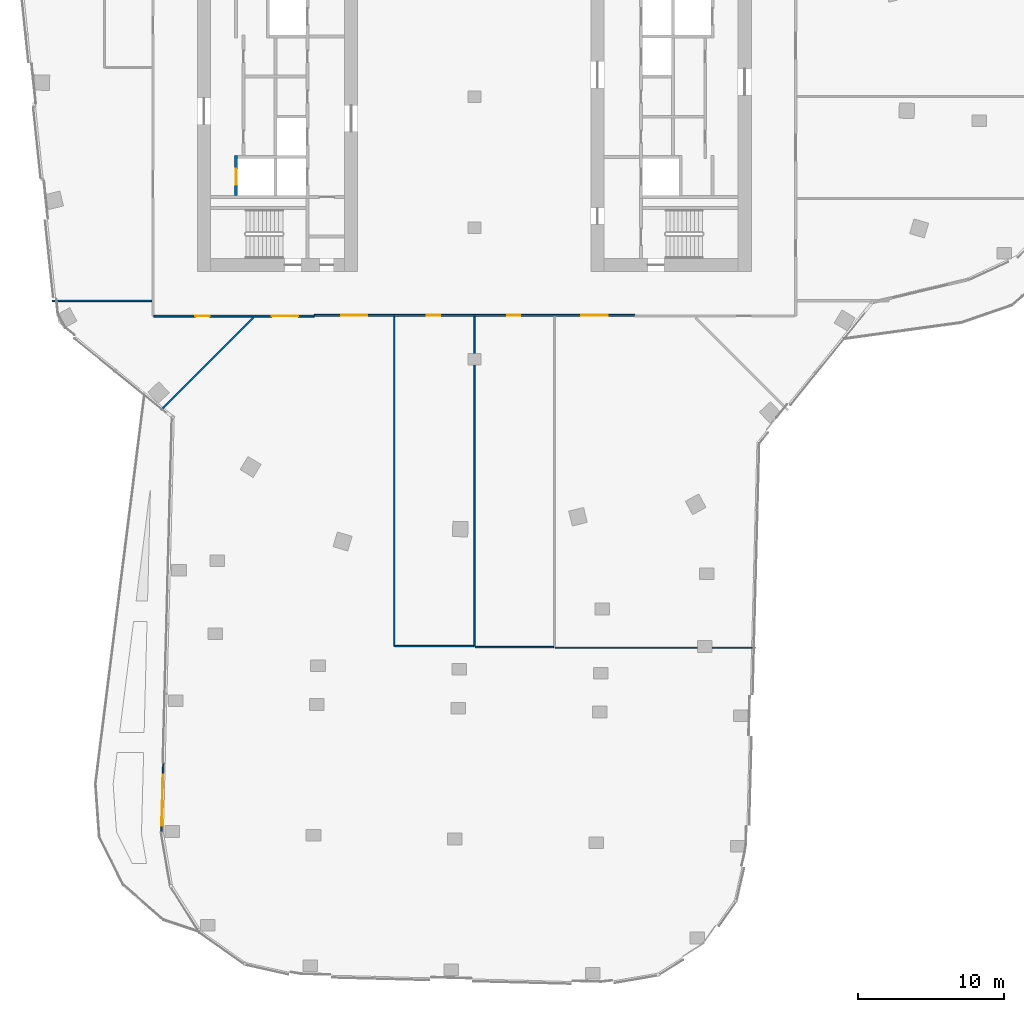
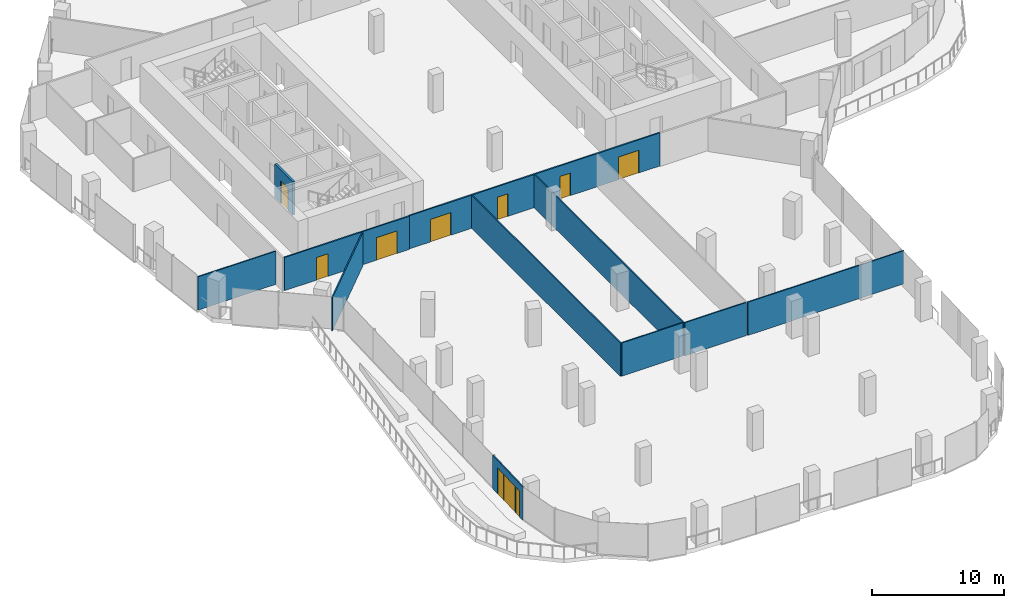
# One storey, part 16 of 24: 11 walls, 8 doors, 2 windows, 10 openings.
"""IFC4 building model written with IfcOpenShell, lengths in metres."""

from ifc_helpers import new_model, si_unit, direction, frame, frame_2d, origin, place, context, subcontext, project, spatial, rectangle, extrude, material, layer, layer_set, type_object, element, fill, save


model = new_model("IFC4")

# Units and contexts
model_context = context("Model", 3, precision=1e-05, world=origin(), true_north=direction((0.0, 1.0)))
body_context = subcontext(model_context, "Body", "Model", "MODEL_VIEW")
ifc_project = project(units=[si_unit("LENGTHUNIT", "METRE"), si_unit("AREAUNIT", "SQUARE_METRE"), si_unit("VOLUMEUNIT", "CUBIC_METRE"), si_unit("PLANEANGLEUNIT", "RADIAN"), si_unit("MASSUNIT", "GRAM", prefix="KILO")], contexts=[model_context])

# Site, building, storey
site_placement = place(None, origin())
site = spatial("IfcSite", under=ifc_project, at=site_placement, CompositionType="ELEMENT")
building_placement = place(site_placement, origin())
building = spatial("IfcBuilding", under=site, at=building_placement, Name="Orlundy Tower", CompositionType="ELEMENT")
storey_placement = place(building_placement, frame((0.0, 0.0, 210.5)))
storey = spatial("IfcBuildingStorey", under=building, at=storey_placement, Name="L55", CompositionType="ELEMENT", Elevation=210.5)

# Walls
ifc_material_1 = material(Name="Gypsum board partition")
ifc_layer_1 = layer(ifc_material_1, 0.10009765625)
ifc_layer_set_1 = layer_set([ifc_layer_1], Name="Floor partition 100")
wall_type_1 = type_object("IfcWallType", Name="Floor partition 100", PredefinedType="PARTITIONING", material=ifc_layer_set_1)
wall_1_placement = place(storey_placement, frame((5.5458984375, -37.802001953125, 0.0), z_axis=(0.0, 0.0, 1.0), x_axis=(1.0, 0.0, 0.0)))
element("IfcWall", 1, at=wall_1_placement, inside=storey, type_object=wall_type_1, Name="wall-int-L55-003", PredefinedType="PARTITIONING", context=body_context, shape_type="SweptSolid", body=[
    extrude(rectangle(XDim=13.72119140625, YDim=0.10009765625, at=frame_2d((6.860595703125, 0.0))), origin(), (0.0, 0.0, 1.0), 3.080078125),
])
wall_2_placement = place(storey_placement, frame((0.050048828125, -37.757080078125, 0.0), z_axis=(0.0, 0.0, 1.0), x_axis=(1.0, 0.0, 0.0)))
element("IfcWall", 2, at=wall_2_placement, inside=storey, type_object=wall_type_1, Name="wall-int-L55-004", PredefinedType="PARTITIONING", context=body_context, shape_type="SweptSolid", body=[
    extrude(rectangle(XDim=5.39599609375, YDim=0.10009765625, at=frame_2d((2.697998046875, 0.0))), origin(), (0.0, 0.0, 1.0), 3.080078125),
])
wall_3_placement = place(storey_placement, frame((-5.444091796875, -37.68505859375, 0.0), z_axis=(0.0, 0.0, 1.0), x_axis=(1.0, 0.0, 0.0)))
element("IfcWall", 3, at=wall_3_placement, inside=storey, type_object=wall_type_1, Name="wall-int-L55-005", PredefinedType="PARTITIONING", context=body_context, shape_type="SweptSolid", body=[
    extrude(rectangle(XDim=5.39404296875, YDim=0.10009765625, at=frame_2d((2.697021484375, 0.0))), origin(), (0.0, 0.0, 1.0), 3.080078125),
])
wall_4_placement = place(storey_placement, frame((-28.946044921875, -14.0, 0.0), z_axis=(0.0, 0.0, 1.0), x_axis=(1.0, 0.0, 0.0)))
element("IfcWall", 4, at=wall_4_placement, inside=storey, type_object=wall_type_1, Name="wall-int-L55-009", PredefinedType="PARTITIONING", context=body_context, shape_type="SweptSolid", body=[
    extrude(rectangle(XDim=6.821044921875, YDim=0.10009765625, at=frame_2d((3.41064453125, 0.0))), origin(), (0.0, 0.0, 1.0), 3.080078125),
])
wall_5_placement = place(storey_placement, frame((-21.508056640625, -21.508056640625, 0.0), z_axis=(0.0, 0.0, 1.0), x_axis=(0.707106781187, 0.707106781187, 0.0)))
element("IfcWall", 5, at=wall_5_placement, inside=storey, type_object=wall_type_1, Name="wall-int-L55-021", PredefinedType="PARTITIONING", context=body_context, shape_type="SweptSolid", body=[
    extrude(rectangle(XDim=8.9931640625, YDim=0.10009765625, at=frame_2d((4.49658203125, 0.0))), origin(), (0.0, 0.0, 1.0), 3.080078125),
])
for number, where, z_axis, x_axis, name in (
    (6, (0.0, -37.68505859375, 0.0), (0.0, 0.0, 1.0), (0.0, 1.0, 0.0), "wall-int-L55-026"),
    (7, (-5.493896484375, -37.68505859375, 0.0), (0.0, 0.0, 1.0), (0.0, 1.0, 0.0), "wall-int-L55-028"),
):
    element("IfcWall", number, at=place(storey_placement, frame(where, z_axis=z_axis, x_axis=x_axis)), inside=storey, type_object=wall_type_1, Name=name, PredefinedType="PARTITIONING", context=body_context, shape_type="SweptSolid", body=[
        extrude(rectangle(XDim=22.6220703125, YDim=0.10009765625, at=frame_2d((11.31103515625, 0.0))), origin(), (0.0, 0.0, 1.0), 3.080078125),
    ])

# Wall, openings, doors
ifc_material_2 = material(Name="Gypsum board partition, double layer")
ifc_layer_2 = layer(ifc_material_2, 0.125)
ifc_layer_set_2 = layer_set([ifc_layer_2], Name="Floor partition 125")
wall_type_2 = type_object("IfcWallType", Name="Floor partition 125", PredefinedType="PARTITIONING", material=ifc_layer_set_2)
wall_6_placement = place(storey_placement, frame((-10.990966796875, -15.051025390625, 0.0), z_axis=(0.0, 0.0, 1.0), x_axis=(-1.0, 0.0, 0.0)))
wall_6 = element("IfcWall", 8, at=wall_6_placement, inside=storey, type_object=wall_type_2, Name="wall-int-L55-006", PredefinedType="PARTITIONING", context=body_context, shape_type="SweptSolid", body=[
    extrude(rectangle(XDim=10.984130859375, YDim=0.125, at=frame_2d((5.4921875, 0.0))), origin(), (0.0, 0.0, 1.0), 3.080078125),
])
opening_1_placement = place(wall_6_placement, frame((7.159912109375, 0.0, 0.0)))
opening_1 = element("IfcOpeningElement", 9, at=opening_1_placement, cuts=wall_6, Name="Opening 42102", PredefinedType="OPENING", context=body_context, shape_type="SweptSolid", body=[
    extrude(rectangle(XDim=1.0, YDim=2.10009765625, at=frame_2d((0.5, 1.050048828125))), frame((0.0, 0.072509765625, 0.0), z_axis=(0.0, -1.0, 0.0), x_axis=(1.0, 0.0, 0.0)), (0.0, 0.0, 1.0), 0.14501953125),
])
opening_2_placement = place(wall_6_placement, frame((1.10009765625, 0.0, 0.0)))
opening_2 = element("IfcOpeningElement", 10, at=opening_2_placement, cuts=wall_6, Name="Opening 42103", PredefinedType="OPENING", context=body_context, shape_type="SweptSolid", body=[
    extrude(rectangle(XDim=1.800048828125, YDim=2.10009765625, at=frame_2d((0.89990234375, 1.050048828125))), frame((0.0, 0.072509765625, 0.0), z_axis=(0.0, -1.0, 0.0), x_axis=(1.0, 0.0, 0.0)), (0.0, 0.0, 1.0), 0.14501953125),
])
ifc_material_3 = material(Name="Timber door leaf", Category="wood")
door_type_1 = type_object("IfcDoorType", Name="Floor door double 1800 FD30S", OperationType="NOTDEFINED", PredefinedType="DOOR", material=ifc_material_3)
door_1_placement = place(opening_2_placement, origin())
door_1 = element("IfcDoor", 11, at=door_1_placement, inside=storey, type_object=door_type_1, Name="Door 42103", OperationType="DOUBLE_DOOR_SINGLE_SWING", OverallHeight=2.10009765625, OverallWidth=1.800048828125, PredefinedType="DOOR", context=body_context, shape_type="SweptSolid", body=[
    extrude(rectangle(XDim=1.800048828125, YDim=2.10009765625, at=frame_2d((0.89990234375, 1.050048828125))), frame((0.0, 0.02490234375, 0.0), z_axis=(0.0, -1.0, 0.0), x_axis=(1.0, 0.0, 0.0)), (0.0, 0.0, 1.0), 0.050048828125),
])
fill(opening_2, door_1)
ifc_material_4 = material(Name="Timber door leaf", Category="wood")
door_type_2 = type_object("IfcDoorType", Name="Floor door wide 1000 FD30S", OperationType="NOTDEFINED", PredefinedType="DOOR", material=ifc_material_4)
door_2_placement = place(opening_1_placement, origin())
door_2 = element("IfcDoor", 12, at=door_2_placement, inside=storey, type_object=door_type_2, Name="Door 42102", OperationType="SINGLE_SWING_RIGHT", OverallHeight=2.10009765625, OverallWidth=1.0, PredefinedType="DOOR", context=body_context, shape_type="SweptSolid", body=[
    extrude(rectangle(XDim=1.0, YDim=2.10009765625, at=frame_2d((0.5, 1.050048828125))), frame((0.0, 0.02490234375, 0.0), z_axis=(0.0, -1.0, 0.0), x_axis=(1.0, 0.0, 0.0)), (0.0, 0.0, 1.0), 0.050048828125),
])
fill(opening_1, door_2)

wall_7_placement = place(storey_placement, frame((10.989990234375, -15.0009765625, 0.0), z_axis=(0.0, 0.0, 1.0), x_axis=(-1.0, 0.0, 0.0)))
wall_7 = element("IfcWall", 13, at=wall_7_placement, inside=storey, type_object=wall_type_2, Name="wall-int-L55-008", PredefinedType="PARTITIONING", context=body_context, shape_type="SweptSolid", body=[
    extrude(rectangle(XDim=21.97998046875, YDim=0.125, at=frame_2d((10.989990234375, 0.0))), origin(), (0.0, 0.0, 1.0), 3.080078125),
])
opening_3_placement = place(wall_7_placement, frame((18.333984375, 0.0, 0.0)))
opening_3 = element("IfcOpeningElement", 14, at=opening_3_placement, cuts=wall_7, Name="Opening 42104", PredefinedType="OPENING", context=body_context, shape_type="SweptSolid", body=[
    extrude(rectangle(XDim=1.800048828125, YDim=2.10009765625, at=frame_2d((0.89990234375, 1.050048828125))), frame((0.0, 0.072509765625, 0.0), z_axis=(0.0, -1.0, 0.0), x_axis=(1.0, 0.0, 0.0)), (0.0, 0.0, 1.0), 0.14501953125),
])
opening_4_placement = place(wall_7_placement, frame((13.340087890625, 0.0, 0.0)))
opening_4 = element("IfcOpeningElement", 15, at=opening_4_placement, cuts=wall_7, Name="Opening 42105", PredefinedType="OPENING", context=body_context, shape_type="SweptSolid", body=[
    extrude(rectangle(XDim=0.89990234375, YDim=2.10009765625, at=frame_2d((0.449951171875, 1.050048828125))), frame((0.0, 0.072509765625, 0.0), z_axis=(0.0, -1.0, 0.0), x_axis=(1.0, 0.0, 0.0)), (0.0, 0.0, 1.0), 0.14501953125),
])
opening_5_placement = place(wall_7_placement, frame((7.843994140625, 0.0, 0.0)))
opening_5 = element("IfcOpeningElement", 16, at=opening_5_placement, cuts=wall_7, Name="Opening 42106", PredefinedType="OPENING", context=body_context, shape_type="SweptSolid", body=[
    extrude(rectangle(XDim=0.89990234375, YDim=2.10009765625, at=frame_2d((0.449951171875, 1.050048828125))), frame((0.0, 0.072509765625, 0.0), z_axis=(0.0, -1.0, 0.0), x_axis=(1.0, 0.0, 0.0)), (0.0, 0.0, 1.0), 0.14501953125),
])
opening_6_placement = place(wall_7_placement, frame((1.85009765625, 0.0, 0.0)))
opening_6 = element("IfcOpeningElement", 17, at=opening_6_placement, cuts=wall_7, Name="Opening 42107", PredefinedType="OPENING", context=body_context, shape_type="SweptSolid", body=[
    extrude(rectangle(XDim=1.800048828125, YDim=2.10009765625, at=frame_2d((0.89990234375, 1.050048828125))), frame((0.0, 0.072509765625, 0.0), z_axis=(0.0, -1.0, 0.0), x_axis=(1.0, 0.0, 0.0)), (0.0, 0.0, 1.0), 0.14501953125),
])
door_3_placement = place(opening_3_placement, origin())
door_3 = element("IfcDoor", 18, at=door_3_placement, inside=storey, type_object=door_type_1, Name="Door 42104", OperationType="DOUBLE_DOOR_SINGLE_SWING", OverallHeight=2.10009765625, OverallWidth=1.800048828125, PredefinedType="DOOR", context=body_context, shape_type="SweptSolid", body=[
    extrude(rectangle(XDim=1.800048828125, YDim=2.10009765625, at=frame_2d((0.89990234375, 1.050048828125))), frame((0.0, 0.02490234375, 0.0), z_axis=(0.0, -1.0, 0.0), x_axis=(1.0, 0.0, 0.0)), (0.0, 0.0, 1.0), 0.050048828125),
])
fill(opening_3, door_3)
door_4_placement = place(opening_6_placement, origin())
door_4 = element("IfcDoor", 19, at=door_4_placement, inside=storey, type_object=door_type_1, Name="Door 42107", OperationType="DOUBLE_DOOR_SINGLE_SWING", OverallHeight=2.10009765625, OverallWidth=1.800048828125, PredefinedType="DOOR", context=body_context, shape_type="SweptSolid", body=[
    extrude(rectangle(XDim=1.800048828125, YDim=2.10009765625, at=frame_2d((0.89990234375, 1.050048828125))), frame((0.0, 0.02490234375, 0.0), z_axis=(0.0, -1.0, 0.0), x_axis=(1.0, 0.0, 0.0)), (0.0, 0.0, 1.0), 0.050048828125),
])
fill(opening_6, door_4)
ifc_material_5 = material(Name="Timber door leaf", Category="wood")
door_type_3 = type_object("IfcDoorType", Name="Floor door single 900 FD30S", OperationType="NOTDEFINED", PredefinedType="DOOR", material=ifc_material_5)
door_5_placement = place(opening_4_placement, origin())
door_5 = element("IfcDoor", 20, at=door_5_placement, inside=storey, type_object=door_type_3, Name="Door 42105", OperationType="SINGLE_SWING_RIGHT", OverallHeight=2.10009765625, OverallWidth=0.89990234375, PredefinedType="DOOR", context=body_context, shape_type="SweptSolid", body=[
    extrude(rectangle(XDim=0.89990234375, YDim=2.10009765625, at=frame_2d((0.449951171875, 1.050048828125))), frame((0.0, 0.02490234375, 0.0), z_axis=(0.0, -1.0, 0.0), x_axis=(1.0, 0.0, 0.0)), (0.0, 0.0, 1.0), 0.050048828125),
])
fill(opening_4, door_5)
door_6_placement = place(opening_5_placement, origin())
door_6 = element("IfcDoor", 21, at=door_6_placement, inside=storey, type_object=door_type_3, Name="Door 42106", OperationType="SINGLE_SWING_LEFT", OverallHeight=2.10009765625, OverallWidth=0.89990234375, PredefinedType="DOOR", context=body_context, shape_type="SweptSolid", body=[
    extrude(rectangle(XDim=0.89990234375, YDim=2.10009765625, at=frame_2d((0.449951171875, 1.050048828125))), frame((0.0, 0.02490234375, 0.0), z_axis=(0.0, -1.0, 0.0), x_axis=(1.0, 0.0, 0.0)), (0.0, 0.0, 1.0), 0.050048828125),
])
fill(opening_5, door_6)

# Wall, openings, windows, door
ifc_material_6 = material(Name="Aluminium bronze and tinted glass", Category="aluminium")
ifc_layer_3 = layer(ifc_material_6, 0.10009765625)
ifc_layer_set_3 = layer_set([ifc_layer_3], Name="Glazed door screen")
wall_type_3 = type_object("IfcWallType", Name="Glazed door screen", PredefinedType="STANDARD", material=ifc_layer_set_3)
wall_8_placement = place(storey_placement, frame((-21.457763671875, -50.446533203125, 0.0), z_axis=(0.0, 0.0, 1.0), x_axis=(0.026165257671, 0.999657631037, 0.0)))
wall_8 = element("IfcWall", 22, at=wall_8_placement, inside=storey, type_object=wall_type_3, Name="Glazed door screen", PredefinedType="STANDARD", context=body_context, shape_type="SweptSolid", body=[
    extrude(rectangle(XDim=4.721435546875, YDim=0.10009765625, at=frame_2d((2.36083984375, 0.0))), origin(), (0.0, 0.0, 1.0), 3.10009765625),
])
opening_7_placement = place(wall_8_placement, frame((1.128662109375, 0.0, 0.0)))
opening_7 = element("IfcOpeningElement", 23, at=opening_7_placement, cuts=wall_8, Name="Opening 42940", PredefinedType="OPENING", context=body_context, shape_type="SweptSolid", body=[
    extrude(rectangle(XDim=1.800048828125, YDim=2.39990234375, at=frame_2d((0.89990234375, 1.199951171875))), frame((0.0, 0.06005859375, 0.0), z_axis=(0.0, -1.0, 0.0), x_axis=(1.0, 0.0, 0.0)), (0.0, 0.0, 1.0), 0.1201171875),
])
opening_8_placement = place(wall_8_placement, frame((0.4287109375, 0.0, 0.0)))
opening_8 = element("IfcOpeningElement", 24, at=opening_8_placement, cuts=wall_8, Name="Opening W01", PredefinedType="OPENING", context=body_context, shape_type="SweptSolid", body=[
    extrude(rectangle(XDim=0.60009765625, YDim=2.39990234375, at=frame_2d((0.300048828125, 1.199951171875))), frame((0.0, 0.06005859375, 0.0), z_axis=(0.0, -1.0, 0.0), x_axis=(1.0, 0.0, 0.0)), (0.0, 0.0, 1.0), 0.1201171875),
])
opening_9_placement = place(wall_8_placement, frame((3.02880859375, 0.0, 0.0)))
opening_9 = element("IfcOpeningElement", 25, at=opening_9_placement, cuts=wall_8, Name="Opening W02", PredefinedType="OPENING", context=body_context, shape_type="SweptSolid", body=[
    extrude(rectangle(XDim=0.89990234375, YDim=2.39990234375, at=frame_2d((0.449951171875, 1.199951171875))), frame((0.0, 0.06005859375, 0.0), z_axis=(0.0, -1.0, 0.0), x_axis=(1.0, 0.0, 0.0)), (0.0, 0.0, 1.0), 0.1201171875),
])
ifc_material_7 = material(Name="Tinted glass in bronze aluminium frame", Category="aluminium")
window_type_1 = type_object("IfcWindowType", Name="SL1 sidelight 600x2400", PartitioningType="SINGLE_PANEL", PredefinedType="WINDOW", material=ifc_material_7)
window_1_placement = place(opening_8_placement, origin())
window_1 = element("IfcWindow", 26, at=window_1_placement, inside=storey, type_object=window_type_1, Name="Window W01 L55", OverallHeight=2.39990234375, OverallWidth=0.60009765625, PartitioningType="SINGLE_PANEL", PredefinedType="WINDOW", context=body_context, shape_type="SweptSolid", body=[
    extrude(rectangle(XDim=0.60009765625, YDim=2.39990234375, at=frame_2d((0.300048828125, 1.199951171875))), frame((0.0, 0.030029296875, 0.0), z_axis=(0.0, -1.0, 0.0), x_axis=(1.0, 0.0, 0.0)), (0.0, 0.0, 1.0), 0.06005859375),
])
fill(opening_8, window_1)
ifc_material_8 = material(Name="Tinted glass in bronze aluminium frame", Category="aluminium")
window_type_2 = type_object("IfcWindowType", Name="SL2 sidelight 900x2400", PartitioningType="SINGLE_PANEL", PredefinedType="WINDOW", material=ifc_material_8)
window_2_placement = place(opening_9_placement, origin())
window_2 = element("IfcWindow", 27, at=window_2_placement, inside=storey, type_object=window_type_2, Name="Window W02 L55", OverallHeight=2.39990234375, OverallWidth=0.89990234375, PartitioningType="SINGLE_PANEL", PredefinedType="WINDOW", context=body_context, shape_type="SweptSolid", body=[
    extrude(rectangle(XDim=0.89990234375, YDim=2.39990234375, at=frame_2d((0.449951171875, 1.199951171875))), frame((0.0, 0.030029296875, 0.0), z_axis=(0.0, -1.0, 0.0), x_axis=(1.0, 0.0, 0.0)), (0.0, 0.0, 1.0), 0.06005859375),
])
fill(opening_9, window_2)
ifc_material_9 = material(Name="Aluminium bronze and tinted glass", Category="aluminium")
door_type_4 = type_object("IfcDoorType", Name="TD3 terrace sliding door 1800x2400", OperationType="DOUBLE_DOOR_SLIDING", PredefinedType="DOOR", material=ifc_material_9)
door_7_placement = place(opening_7_placement, origin())
door_7 = element("IfcDoor", 28, at=door_7_placement, inside=storey, type_object=door_type_4, Name="Door 42940", OperationType="DOUBLE_DOOR_SLIDING", OverallHeight=2.39990234375, OverallWidth=1.800048828125, PredefinedType="DOOR", context=body_context, shape_type="SweptSolid", body=[
    extrude(rectangle(XDim=1.800048828125, YDim=2.39990234375, at=frame_2d((0.89990234375, 1.199951171875))), frame((0.0, 0.02490234375, 0.0), z_axis=(0.0, -1.0, 0.0), x_axis=(1.0, 0.0, 0.0)), (0.0, 0.0, 1.0), 0.050048828125),
])
fill(opening_7, door_7)

# Wall, opening, door
ifc_material_10 = material(Name="Fire-rated blockwork shaft wall", Category="masonry")
ifc_layer_4 = layer(ifc_material_10, 0.199951171875)
ifc_layer_set_4 = layer_set([ifc_layer_4], Name="Shaft Wall 200")
wall_type_4 = type_object("IfcWallType", Name="Shaft Wall 200", PredefinedType="SOLIDWALL", material=ifc_layer_set_4)
wall_9_placement = place(storey_placement, frame((-16.340087890625, -6.77490234375, 0.0), z_axis=(0.0, 0.0, 1.0), x_axis=(0.0, 1.0, 0.0)))
wall_9 = element("IfcWall", 29, at=wall_9_placement, inside=storey, type_object=wall_type_4, Name="Shaft wall W42-front-o-a", PredefinedType="SOLIDWALL", context=body_context, shape_type="SweptSolid", body=[
    extrude(rectangle(XDim=2.75, YDim=0.199951171875, at=frame_2d((1.375, 0.0))), origin(), (0.0, 0.0, 1.0), 3.090087890625),
])
opening_10_placement = place(wall_9_placement, frame((0.72509765625, 0.0, 0.0)))
opening_10 = element("IfcOpeningElement", 30, at=opening_10_placement, cuts=wall_9, Name="Opening 42002", PredefinedType="OPENING", context=body_context, shape_type="SweptSolid", body=[
    extrude(rectangle(XDim=1.10009765625, YDim=2.10009765625, at=frame_2d((0.550048828125, 1.050048828125))), frame((0.0, 0.110107421875, 0.0), z_axis=(0.0, -1.0, 0.0), x_axis=(1.0, 0.0, 0.0)), (0.0, 0.0, 1.0), 0.22021484375),
])
ifc_material_11 = material(Name="Steel door set", Category="steel")
door_type_5 = type_object("IfcDoorType", Name="Landing Door 1100x2100", OperationType="DOUBLE_DOOR_SLIDING", PredefinedType="DOOR", material=ifc_material_11)
door_8_placement = place(opening_10_placement, origin())
door_8 = element("IfcDoor", 31, at=door_8_placement, inside=storey, type_object=door_type_5, Name="Lift landing door LV-01 42002", OperationType="DOUBLE_DOOR_SLIDING", OverallHeight=2.10009765625, OverallWidth=1.10009765625, PredefinedType="DOOR", context=body_context, shape_type="SweptSolid", body=[
    extrude(rectangle(XDim=1.10009765625, YDim=2.10009765625, at=frame_2d((0.550048828125, 1.050048828125))), frame((0.0, 0.02490234375, 0.0), z_axis=(0.0, -1.0, 0.0), x_axis=(1.0, 0.0, 0.0)), (0.0, 0.0, 1.0), 0.050048828125),
])
fill(opening_10, door_8)

save(model, "model.ifc")
